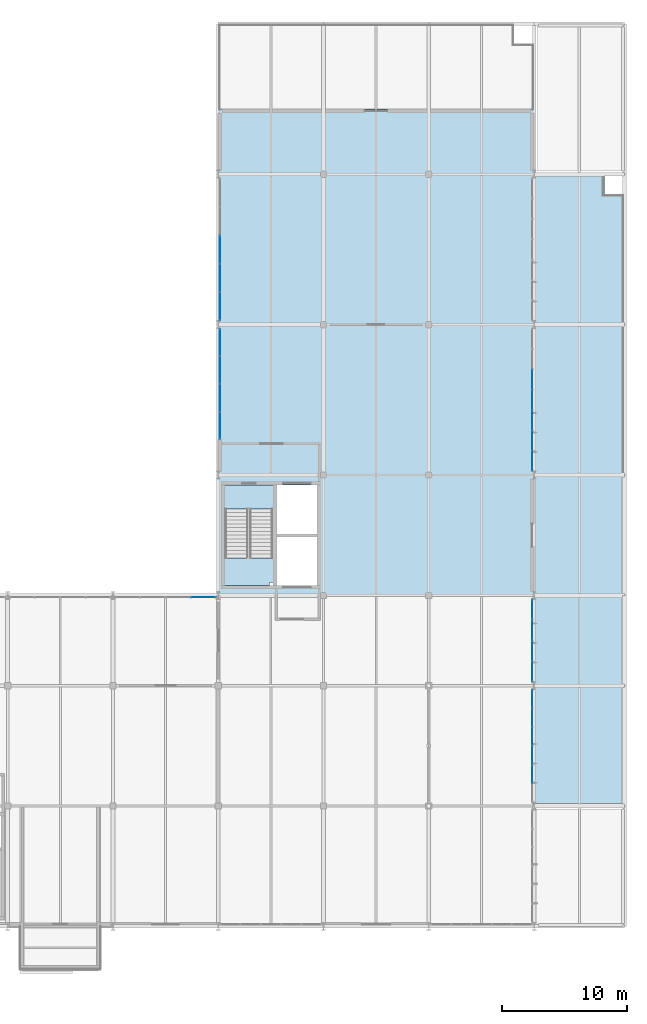
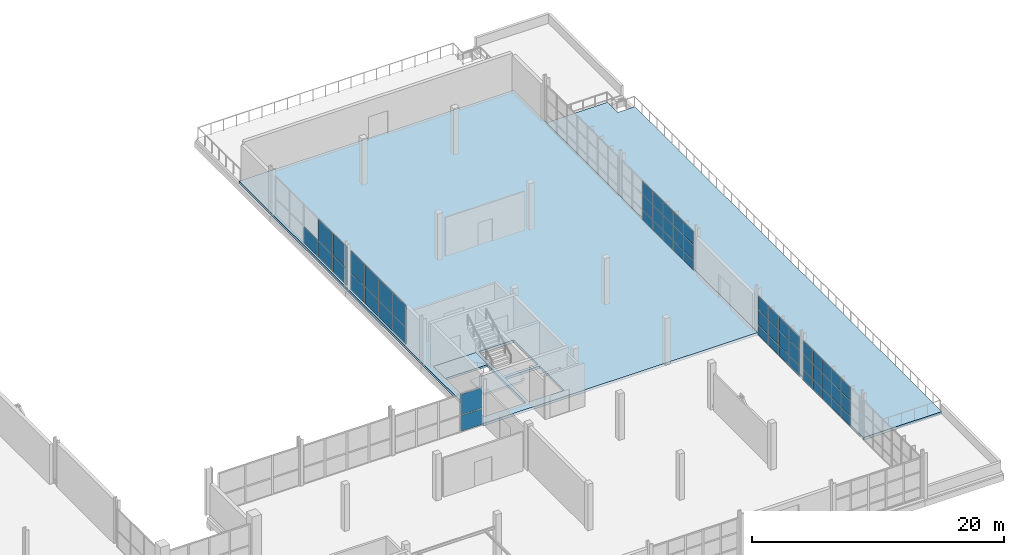
# One storey, part 91 of 109: 57 plates, 4 slabs, 7 elements without a shape of their own.
"""IFC4 building model written with IfcOpenShell, lengths in metres."""

from ifc_helpers import new_model, si_unit, direction, frame, origin, origin_2d, place, context, subcontext, project, spatial, polyline, rectangle, outline, extrude, material, layer, layer_set, type_object, element, aggregate, save


model = new_model("IFC4")

# Units and contexts
model_context = context("Model", 3, precision=1e-05, world=origin(), true_north=direction((0.0, 1.0)))
body_context = subcontext(model_context, "Body", "Model", "MODEL_VIEW")
ifc_project = project(units=[si_unit("LENGTHUNIT", "METRE"), si_unit("AREAUNIT", "SQUARE_METRE"), si_unit("VOLUMEUNIT", "CUBIC_METRE"), si_unit("PLANEANGLEUNIT", "RADIAN"), si_unit("MASSUNIT", "GRAM", prefix="KILO")], contexts=[model_context])

# Site, building, storey
site_placement = place(None, origin())
site = spatial("IfcSite", under=ifc_project, at=site_placement, CompositionType="ELEMENT")
building_placement = place(site_placement, origin())
building = spatial("IfcBuilding", under=site, at=building_placement, Name="Veltarok Museum of Natural Sciences", CompositionType="ELEMENT")
storey_placement = place(building_placement, frame((0.0, 0.0, 17.39990234375)))
storey = spatial("IfcBuildingStorey", under=building, at=storey_placement, Name="L03", CompositionType="ELEMENT", Elevation=17.39990234375)

# Slabs
ifc_material_1 = material(Name="Concrete C35/45", Category="concrete")
ifc_layer_1 = layer(ifc_material_1, 0.260009765625)
ifc_layer_set_1 = layer_set([ifc_layer_1], Name="Concrete C35/45")
slab_type_1 = type_object("IfcSlabType", Name="Insulated Walkable Terrace Deck Slab 260", PredefinedType="FLOOR", material=ifc_layer_set_1)
slab_1_placement = place(storey_placement, frame((0.0, 0.0, -0.260009765625)))
element("IfcSlab", 1, at=slab_1_placement, inside=storey, type_object=slab_type_1, Name="Southeast Specimen Garden Terrace", PredefinedType="FLOOR", context=body_context, shape_type="SweptSolid", body=[
    extrude(outline(polyline([(157.60009765625, 9.60009765625), (164.800048828125, 9.60009765625), (164.800048828125, 58.39990234375), (163.199951171875, 58.39990234375), (163.199951171875, 60.0), (157.60009765625, 60.0), (157.60009765625, 9.60009765625)])), origin(), (0.0, 0.0, 1.0), 0.260009765625),
])
ifc_layer_2 = layer(ifc_material_1, 0.199951171875)
ifc_layer_set_2 = layer_set([ifc_layer_2], Name="Concrete C35/45")
slab_type_2 = type_object("IfcSlabType", Name="Protected Stair Intermediate Landing Slab 200", PredefinedType="LANDING", material=ifc_layer_set_2)
slab_2_placement = place(storey_placement, frame((0.0, 0.0, -0.199951171875)))
element("IfcSlab", 2, at=slab_2_placement, inside=storey, type_object=slab_type_2, Name="Stairwell Floor Landing ST-05 L03", PredefinedType="LANDING", context=body_context, shape_type="SweptSolid", body=[
    extrude(outline(polyline([(132.909912109375, 33.300048828125), (136.7900390625, 33.300048828125), (136.7900390625, 35.219970703125), (132.909912109375, 35.219970703125), (132.909912109375, 33.300048828125)])), origin(), (0.0, 0.0, 1.0), 0.199951171875),
])

# Stair, slab
ifc_material_2 = material(Name="Precast concrete C40/50", Category="concrete")
stair_type = type_object("IfcStairType", Name="Protected Half-Turn Escape Stair H4500", PredefinedType="HALF_TURN_STAIR", material=ifc_material_2)
stair_placement = place(storey_placement, origin())
stair = element("IfcStair", 3, at=stair_placement, inside=storey, type_object=stair_type, Name="Protected Escape Stair ST-05-L03", PredefinedType="HALF_TURN_STAIR")
slab_3_placement = place(storey_placement, frame((0.0, 0.0, 2.050048828125)))
slab_3 = element("IfcSlab", 4, at=slab_3_placement, type_object=slab_type_2, Name="ST-05-L03 landing 1", PredefinedType="LANDING", context=body_context, shape_type="SweptSolid", body=[
    extrude(outline(polyline([(132.909912109375, 27.179931640625), (136.469970703125, 27.179931640625), (136.469970703125, 27.419921875), (136.7900390625, 27.419921875), (136.7900390625, 29.39990234375), (132.909912109375, 29.39990234375), (132.909912109375, 27.179931640625)])), origin(), (0.0, 0.0, 1.0), 0.199951171875),
])
aggregate(stair, [slab_3])

# Slab
ifc_layer_3 = layer(ifc_material_1, 0.25)
ifc_layer_set_3 = layer_set([ifc_layer_3], Name="Concrete C35/45")
slab_type_3 = type_object("IfcSlabType", Name="Suspended Museum Floor Slab 250", PredefinedType="FLOOR", material=ifc_layer_set_3)
slab_4_placement = place(storey_placement, frame((0.0, 0.0, -0.25)))
element("IfcSlab", 5, at=slab_4_placement, inside=storey, type_object=slab_type_3, Name="Floor Slab L03 V5E", PredefinedType="FLOOR", context=body_context, shape_type="SweptSolid", body=[
    extrude(outline(polyline([(132.39990234375, 26.39990234375), (132.39990234375, 65.199951171875), (157.60009765625, 65.199951171875), (157.60009765625, 26.39990234375), (132.39990234375, 26.39990234375)]), holes=[polyline([(140.27001953125, 31.050048828125), (137.070068359375, 31.050048828125), (137.070068359375, 27.199951171875), (140.27001953125, 27.199951171875), (140.27001953125, 31.050048828125)]), polyline([(136.77001953125, 35.199951171875), (132.929931640625, 35.199951171875), (132.929931640625, 27.199951171875), (136.77001953125, 27.199951171875), (136.77001953125, 35.199951171875)]), polyline([(140.27001953125, 35.199951171875), (137.070068359375, 35.199951171875), (137.070068359375, 31.300048828125), (140.27001953125, 31.300048828125), (140.27001953125, 35.199951171875)])]), origin(), (0.0, 0.0, 1.0), 0.25),
])

# Curtain wall, plates
ifc_material_3 = material(Name="Low-iron triple insulated glass", Category="glass")
curtain_wall_type_1 = type_object("IfcCurtainWallType", Name="Curtain Wall System CW-V5E-L03-B-900x388 (V5 East Lab L03 B-C 900x388cm)", PredefinedType="NOTDEFINED", material=ifc_material_3)
curtain_wall_1_placement = place(storey_placement, origin())
curtain_wall_1 = element("IfcCurtainWall", 6, at=curtain_wall_1_placement, inside=storey, type_object=curtain_wall_type_1, Name="Curtain Wall CW-V5E-L03-B-900x388 CW-0116", PredefinedType="NOTDEFINED")
ifc_layer_4 = layer(ifc_material_3, 0.028076171875)
ifc_layer_set_4 = layer_set([ifc_layer_4], Name="Low-iron triple insulated glass")
plate_type = type_object("IfcPlateType", Name="Triple Low-Iron Glazed Vision Panel 28", PredefinedType="CURTAIN_PANEL", material=ifc_layer_set_4)
plate_1_placement = place(storey_placement, frame((157.449951171875, 12.14990234375, 0.06005859375), z_axis=(0.0, 0.0, 1.0), x_axis=(0.0, 1.0, 0.0)))
plate_1 = element("IfcPlate", 7, at=plate_1_placement, type_object=plate_type, Name="CW-V5E-L03-B-900x388 panel 2.1", PredefinedType="CURTAIN_PANEL", context=body_context, shape_type="SweptSolid", body=[
    extrude(rectangle(XDim=1.43994140625, YDim=0.028076171875, at=origin_2d()), origin(), (0.0, 0.0, 1.0), 0.909912109375),
])
plate_2_placement = place(storey_placement, frame((157.449951171875, 12.14990234375, 1.030029296875), z_axis=(0.0, 0.0, 1.0), x_axis=(0.0, 1.0, 0.0)))
plate_2 = element("IfcPlate", 8, at=plate_2_placement, type_object=plate_type, Name="CW-V5E-L03-B-900x388 panel 2.2", PredefinedType="CURTAIN_PANEL", context=body_context, shape_type="SweptSolid", body=[
    extrude(rectangle(XDim=1.43994140625, YDim=0.028076171875, at=origin_2d()), origin(), (0.0, 0.0, 1.0), 1.43994140625),
])
plate_3_placement = place(storey_placement, frame((157.449951171875, 12.14990234375, 2.530029296875), z_axis=(0.0, 0.0, 1.0), x_axis=(0.0, 1.0, 0.0)))
plate_3 = element("IfcPlate", 9, at=plate_3_placement, type_object=plate_type, Name="CW-V5E-L03-B-900x388 panel 2.3", PredefinedType="CURTAIN_PANEL", context=body_context, shape_type="SweptSolid", body=[
    extrude(rectangle(XDim=1.43994140625, YDim=0.028076171875, at=origin_2d()), origin(), (0.0, 0.0, 1.0), 1.2900390625),
])
plate_4_placement = place(storey_placement, frame((157.449951171875, 13.64990234375, 0.06005859375), z_axis=(0.0, 0.0, 1.0), x_axis=(0.0, 1.0, 0.0)))
plate_4 = element("IfcPlate", 10, at=plate_4_placement, type_object=plate_type, Name="CW-V5E-L03-B-900x388 panel 3.1", PredefinedType="CURTAIN_PANEL", context=body_context, shape_type="SweptSolid", body=[
    extrude(rectangle(XDim=1.43994140625, YDim=0.028076171875, at=origin_2d()), origin(), (0.0, 0.0, 1.0), 0.909912109375),
])
plate_5_placement = place(storey_placement, frame((157.449951171875, 13.64990234375, 1.030029296875), z_axis=(0.0, 0.0, 1.0), x_axis=(0.0, 1.0, 0.0)))
plate_5 = element("IfcPlate", 11, at=plate_5_placement, type_object=plate_type, Name="CW-V5E-L03-B-900x388 panel 3.2", PredefinedType="CURTAIN_PANEL", context=body_context, shape_type="SweptSolid", body=[
    extrude(rectangle(XDim=1.43994140625, YDim=0.028076171875, at=origin_2d()), origin(), (0.0, 0.0, 1.0), 1.43994140625),
])
plate_6_placement = place(storey_placement, frame((157.449951171875, 13.64990234375, 2.530029296875), z_axis=(0.0, 0.0, 1.0), x_axis=(0.0, 1.0, 0.0)))
plate_6 = element("IfcPlate", 12, at=plate_6_placement, type_object=plate_type, Name="CW-V5E-L03-B-900x388 panel 3.3", PredefinedType="CURTAIN_PANEL", context=body_context, shape_type="SweptSolid", body=[
    extrude(rectangle(XDim=1.43994140625, YDim=0.028076171875, at=origin_2d()), origin(), (0.0, 0.0, 1.0), 1.2900390625),
])
plate_7_placement = place(storey_placement, frame((157.449951171875, 15.14990234375, 0.06005859375), z_axis=(0.0, 0.0, 1.0), x_axis=(0.0, 1.0, 0.0)))
plate_7 = element("IfcPlate", 13, at=plate_7_placement, type_object=plate_type, Name="CW-V5E-L03-B-900x388 panel 4.1", PredefinedType="CURTAIN_PANEL", context=body_context, shape_type="SweptSolid", body=[
    extrude(rectangle(XDim=1.43994140625, YDim=0.028076171875, at=origin_2d()), origin(), (0.0, 0.0, 1.0), 0.909912109375),
])
plate_8_placement = place(storey_placement, frame((157.449951171875, 15.14990234375, 1.030029296875), z_axis=(0.0, 0.0, 1.0), x_axis=(0.0, 1.0, 0.0)))
plate_8 = element("IfcPlate", 14, at=plate_8_placement, type_object=plate_type, Name="CW-V5E-L03-B-900x388 panel 4.2", PredefinedType="CURTAIN_PANEL", context=body_context, shape_type="SweptSolid", body=[
    extrude(rectangle(XDim=1.43994140625, YDim=0.028076171875, at=origin_2d()), origin(), (0.0, 0.0, 1.0), 1.43994140625),
])
plate_9_placement = place(storey_placement, frame((157.449951171875, 15.14990234375, 2.530029296875), z_axis=(0.0, 0.0, 1.0), x_axis=(0.0, 1.0, 0.0)))
plate_9 = element("IfcPlate", 15, at=plate_9_placement, type_object=plate_type, Name="CW-V5E-L03-B-900x388 panel 4.3", PredefinedType="CURTAIN_PANEL", context=body_context, shape_type="SweptSolid", body=[
    extrude(rectangle(XDim=1.43994140625, YDim=0.028076171875, at=origin_2d()), origin(), (0.0, 0.0, 1.0), 1.2900390625),
])
plate_10_placement = place(storey_placement, frame((157.449951171875, 16.64990234375, 0.06005859375), z_axis=(0.0, 0.0, 1.0), x_axis=(0.0, 1.0, 0.0)))
plate_10 = element("IfcPlate", 16, at=plate_10_placement, type_object=plate_type, Name="CW-V5E-L03-B-900x388 panel 5.1", PredefinedType="CURTAIN_PANEL", context=body_context, shape_type="SweptSolid", body=[
    extrude(rectangle(XDim=1.43994140625, YDim=0.028076171875, at=origin_2d()), origin(), (0.0, 0.0, 1.0), 0.909912109375),
])
plate_11_placement = place(storey_placement, frame((157.449951171875, 16.64990234375, 1.030029296875), z_axis=(0.0, 0.0, 1.0), x_axis=(0.0, 1.0, 0.0)))
plate_11 = element("IfcPlate", 17, at=plate_11_placement, type_object=plate_type, Name="CW-V5E-L03-B-900x388 panel 5.2", PredefinedType="CURTAIN_PANEL", context=body_context, shape_type="SweptSolid", body=[
    extrude(rectangle(XDim=1.43994140625, YDim=0.028076171875, at=origin_2d()), origin(), (0.0, 0.0, 1.0), 1.43994140625),
])
plate_12_placement = place(storey_placement, frame((157.449951171875, 16.64990234375, 2.530029296875), z_axis=(0.0, 0.0, 1.0), x_axis=(0.0, 1.0, 0.0)))
plate_12 = element("IfcPlate", 18, at=plate_12_placement, type_object=plate_type, Name="CW-V5E-L03-B-900x388 panel 5.3", PredefinedType="CURTAIN_PANEL", context=body_context, shape_type="SweptSolid", body=[
    extrude(rectangle(XDim=1.43994140625, YDim=0.028076171875, at=origin_2d()), origin(), (0.0, 0.0, 1.0), 1.2900390625),
])
plate_13_placement = place(storey_placement, frame((157.449951171875, 18.135009765625, 0.06005859375), z_axis=(0.0, 0.0, 1.0), x_axis=(0.0, 1.0, 0.0)))
plate_13 = element("IfcPlate", 19, at=plate_13_placement, type_object=plate_type, Name="CW-V5E-L03-B-900x388 panel 6.1", PredefinedType="CURTAIN_PANEL", context=body_context, shape_type="SweptSolid", body=[
    extrude(rectangle(XDim=1.409912109375, YDim=0.028076171875, at=origin_2d()), origin(), (0.0, 0.0, 1.0), 0.909912109375),
])
plate_14_placement = place(storey_placement, frame((157.449951171875, 18.135009765625, 1.030029296875), z_axis=(0.0, 0.0, 1.0), x_axis=(0.0, 1.0, 0.0)))
plate_14 = element("IfcPlate", 20, at=plate_14_placement, type_object=plate_type, Name="CW-V5E-L03-B-900x388 panel 6.2", PredefinedType="CURTAIN_PANEL", context=body_context, shape_type="SweptSolid", body=[
    extrude(rectangle(XDim=1.409912109375, YDim=0.028076171875, at=origin_2d()), origin(), (0.0, 0.0, 1.0), 1.43994140625),
])
plate_15_placement = place(storey_placement, frame((157.449951171875, 18.135009765625, 2.530029296875), z_axis=(0.0, 0.0, 1.0), x_axis=(0.0, 1.0, 0.0)))
plate_15 = element("IfcPlate", 21, at=plate_15_placement, type_object=plate_type, Name="CW-V5E-L03-B-900x388 panel 6.3", PredefinedType="CURTAIN_PANEL", context=body_context, shape_type="SweptSolid", body=[
    extrude(rectangle(XDim=1.409912109375, YDim=0.028076171875, at=origin_2d()), origin(), (0.0, 0.0, 1.0), 1.2900390625),
])
aggregate(curtain_wall_1, [plate_1, plate_2, plate_3, plate_4, plate_5, plate_6, plate_7, plate_8, plate_9, plate_10, plate_11, plate_12, plate_13, plate_14, plate_15])

curtain_wall_type_2 = type_object("IfcCurtainWallType", Name="Curtain Wall System CW-V5E-L03-C-660x388 (V5 East Lab L03 C-D 660x388cm)", PredefinedType="NOTDEFINED", material=ifc_material_3)
curtain_wall_2_placement = place(storey_placement, origin())
curtain_wall_2 = element("IfcCurtainWall", 22, at=curtain_wall_2_placement, inside=storey, type_object=curtain_wall_type_2, Name="Curtain Wall CW-V5E-L03-C-660x388 CW-0117", PredefinedType="NOTDEFINED")
plate_16_placement = place(storey_placement, frame((157.449951171875, 20.340087890625, 0.06005859375), z_axis=(0.0, 0.0, 1.0), x_axis=(0.0, 1.0, 0.0)))
plate_16 = element("IfcPlate", 23, at=plate_16_placement, type_object=plate_type, Name="CW-V5E-L03-C-660x388 panel 1.1", PredefinedType="CURTAIN_PANEL", context=body_context, shape_type="SweptSolid", body=[
    extrude(rectangle(XDim=1.56005859375, YDim=0.028076171875, at=origin_2d()), origin(), (0.0, 0.0, 1.0), 0.909912109375),
])
plate_17_placement = place(storey_placement, frame((157.449951171875, 20.340087890625, 1.030029296875), z_axis=(0.0, 0.0, 1.0), x_axis=(0.0, 1.0, 0.0)))
plate_17 = element("IfcPlate", 24, at=plate_17_placement, type_object=plate_type, Name="CW-V5E-L03-C-660x388 panel 1.2", PredefinedType="CURTAIN_PANEL", context=body_context, shape_type="SweptSolid", body=[
    extrude(rectangle(XDim=1.56005859375, YDim=0.028076171875, at=origin_2d()), origin(), (0.0, 0.0, 1.0), 1.43994140625),
])
plate_18_placement = place(storey_placement, frame((157.449951171875, 20.340087890625, 2.530029296875), z_axis=(0.0, 0.0, 1.0), x_axis=(0.0, 1.0, 0.0)))
plate_18 = element("IfcPlate", 25, at=plate_18_placement, type_object=plate_type, Name="CW-V5E-L03-C-660x388 panel 1.3", PredefinedType="CURTAIN_PANEL", context=body_context, shape_type="SweptSolid", body=[
    extrude(rectangle(XDim=1.56005859375, YDim=0.028076171875, at=origin_2d()), origin(), (0.0, 0.0, 1.0), 1.2900390625),
])
plate_19_placement = place(storey_placement, frame((157.449951171875, 21.97509765625, 0.06005859375), z_axis=(0.0, 0.0, 1.0), x_axis=(0.0, 1.0, 0.0)))
plate_19 = element("IfcPlate", 26, at=plate_19_placement, type_object=plate_type, Name="CW-V5E-L03-C-660x388 panel 2.1", PredefinedType="CURTAIN_PANEL", context=body_context, shape_type="SweptSolid", body=[
    extrude(rectangle(XDim=1.590087890625, YDim=0.028076171875, at=origin_2d()), origin(), (0.0, 0.0, 1.0), 0.909912109375),
])
plate_20_placement = place(storey_placement, frame((157.449951171875, 21.97509765625, 1.030029296875), z_axis=(0.0, 0.0, 1.0), x_axis=(0.0, 1.0, 0.0)))
plate_20 = element("IfcPlate", 27, at=plate_20_placement, type_object=plate_type, Name="CW-V5E-L03-C-660x388 panel 2.2", PredefinedType="CURTAIN_PANEL", context=body_context, shape_type="SweptSolid", body=[
    extrude(rectangle(XDim=1.590087890625, YDim=0.028076171875, at=origin_2d()), origin(), (0.0, 0.0, 1.0), 1.43994140625),
])
plate_21_placement = place(storey_placement, frame((157.449951171875, 21.97509765625, 2.530029296875), z_axis=(0.0, 0.0, 1.0), x_axis=(0.0, 1.0, 0.0)))
plate_21 = element("IfcPlate", 28, at=plate_21_placement, type_object=plate_type, Name="CW-V5E-L03-C-660x388 panel 2.3", PredefinedType="CURTAIN_PANEL", context=body_context, shape_type="SweptSolid", body=[
    extrude(rectangle(XDim=1.590087890625, YDim=0.028076171875, at=origin_2d()), origin(), (0.0, 0.0, 1.0), 1.2900390625),
])
plate_22_placement = place(storey_placement, frame((157.449951171875, 23.625, 0.06005859375), z_axis=(0.0, 0.0, 1.0), x_axis=(0.0, 1.0, 0.0)))
plate_22 = element("IfcPlate", 29, at=plate_22_placement, type_object=plate_type, Name="CW-V5E-L03-C-660x388 panel 3.1", PredefinedType="CURTAIN_PANEL", context=body_context, shape_type="SweptSolid", body=[
    extrude(rectangle(XDim=1.590087890625, YDim=0.028076171875, at=origin_2d()), origin(), (0.0, 0.0, 1.0), 0.909912109375),
])
plate_23_placement = place(storey_placement, frame((157.449951171875, 23.625, 1.030029296875), z_axis=(0.0, 0.0, 1.0), x_axis=(0.0, 1.0, 0.0)))
plate_23 = element("IfcPlate", 30, at=plate_23_placement, type_object=plate_type, Name="CW-V5E-L03-C-660x388 panel 3.2", PredefinedType="CURTAIN_PANEL", context=body_context, shape_type="SweptSolid", body=[
    extrude(rectangle(XDim=1.590087890625, YDim=0.028076171875, at=origin_2d()), origin(), (0.0, 0.0, 1.0), 1.43994140625),
])
plate_24_placement = place(storey_placement, frame((157.449951171875, 23.625, 2.530029296875), z_axis=(0.0, 0.0, 1.0), x_axis=(0.0, 1.0, 0.0)))
plate_24 = element("IfcPlate", 31, at=plate_24_placement, type_object=plate_type, Name="CW-V5E-L03-C-660x388 panel 3.3", PredefinedType="CURTAIN_PANEL", context=body_context, shape_type="SweptSolid", body=[
    extrude(rectangle(XDim=1.590087890625, YDim=0.028076171875, at=origin_2d()), origin(), (0.0, 0.0, 1.0), 1.2900390625),
])
plate_25_placement = place(storey_placement, frame((157.449951171875, 25.260009765625, 0.06005859375), z_axis=(0.0, 0.0, 1.0), x_axis=(0.0, 1.0, 0.0)))
plate_25 = element("IfcPlate", 32, at=plate_25_placement, type_object=plate_type, Name="CW-V5E-L03-C-660x388 panel 4.1", PredefinedType="CURTAIN_PANEL", context=body_context, shape_type="SweptSolid", body=[
    extrude(rectangle(XDim=1.56005859375, YDim=0.028076171875, at=origin_2d()), origin(), (0.0, 0.0, 1.0), 0.909912109375),
])
plate_26_placement = place(storey_placement, frame((157.449951171875, 25.260009765625, 1.030029296875), z_axis=(0.0, 0.0, 1.0), x_axis=(0.0, 1.0, 0.0)))
plate_26 = element("IfcPlate", 33, at=plate_26_placement, type_object=plate_type, Name="CW-V5E-L03-C-660x388 panel 4.2", PredefinedType="CURTAIN_PANEL", context=body_context, shape_type="SweptSolid", body=[
    extrude(rectangle(XDim=1.56005859375, YDim=0.028076171875, at=origin_2d()), origin(), (0.0, 0.0, 1.0), 1.43994140625),
])
plate_27_placement = place(storey_placement, frame((157.449951171875, 25.260009765625, 2.530029296875), z_axis=(0.0, 0.0, 1.0), x_axis=(0.0, 1.0, 0.0)))
plate_27 = element("IfcPlate", 34, at=plate_27_placement, type_object=plate_type, Name="CW-V5E-L03-C-660x388 panel 4.3", PredefinedType="CURTAIN_PANEL", context=body_context, shape_type="SweptSolid", body=[
    extrude(rectangle(XDim=1.56005859375, YDim=0.028076171875, at=origin_2d()), origin(), (0.0, 0.0, 1.0), 1.2900390625),
])
aggregate(curtain_wall_2, [plate_16, plate_17, plate_18, plate_19, plate_20, plate_21, plate_22, plate_23, plate_24, plate_25, plate_26, plate_27])

curtain_wall_type_3 = type_object("IfcCurtainWallType", Name="Curtain Wall System CW-V5E-L03-E-1140x388 (V5 East Lab L03 E-F 1140x388cm)", PredefinedType="NOTDEFINED", material=ifc_material_3)
curtain_wall_3_placement = place(storey_placement, origin())
curtain_wall_3 = element("IfcCurtainWall", 35, at=curtain_wall_3_placement, inside=storey, type_object=curtain_wall_type_3, Name="Curtain Wall CW-V5E-L03-E-1140x388 CW-0118", PredefinedType="NOTDEFINED")
plate_28_placement = place(storey_placement, frame((157.449951171875, 37.12939453125, 0.06005859375), z_axis=(0.0, 0.0, 1.0), x_axis=(0.0, 1.0, 0.0)))
plate_28 = element("IfcPlate", 36, at=plate_28_placement, type_object=plate_type, Name="CW-V5E-L03-E-1140x388 panel 1.1", PredefinedType="CURTAIN_PANEL", context=body_context, shape_type="SweptSolid", body=[
    extrude(rectangle(XDim=1.53857421875, YDim=0.028076171875, at=origin_2d()), origin(), (0.0, 0.0, 1.0), 0.909912109375),
])
plate_29_placement = place(storey_placement, frame((157.449951171875, 37.12939453125, 1.030029296875), z_axis=(0.0, 0.0, 1.0), x_axis=(0.0, 1.0, 0.0)))
plate_29 = element("IfcPlate", 37, at=plate_29_placement, type_object=plate_type, Name="CW-V5E-L03-E-1140x388 panel 1.2", PredefinedType="CURTAIN_PANEL", context=body_context, shape_type="SweptSolid", body=[
    extrude(rectangle(XDim=1.53857421875, YDim=0.028076171875, at=origin_2d()), origin(), (0.0, 0.0, 1.0), 1.43994140625),
])
plate_30_placement = place(storey_placement, frame((157.449951171875, 37.12939453125, 2.530029296875), z_axis=(0.0, 0.0, 1.0), x_axis=(0.0, 1.0, 0.0)))
plate_30 = element("IfcPlate", 38, at=plate_30_placement, type_object=plate_type, Name="CW-V5E-L03-E-1140x388 panel 1.3", PredefinedType="CURTAIN_PANEL", context=body_context, shape_type="SweptSolid", body=[
    extrude(rectangle(XDim=1.53857421875, YDim=0.028076171875, at=origin_2d()), origin(), (0.0, 0.0, 1.0), 1.2900390625),
])
plate_31_placement = place(storey_placement, frame((157.449951171875, 38.742919921875, 0.06005859375), z_axis=(0.0, 0.0, 1.0), x_axis=(0.0, 1.0, 0.0)))
plate_31 = element("IfcPlate", 39, at=plate_31_placement, type_object=plate_type, Name="CW-V5E-L03-E-1140x388 panel 2.1", PredefinedType="CURTAIN_PANEL", context=body_context, shape_type="SweptSolid", body=[
    extrude(rectangle(XDim=1.568603515625, YDim=0.028076171875, at=origin_2d()), origin(), (0.0, 0.0, 1.0), 0.909912109375),
])
plate_32_placement = place(storey_placement, frame((157.449951171875, 38.742919921875, 1.030029296875), z_axis=(0.0, 0.0, 1.0), x_axis=(0.0, 1.0, 0.0)))
plate_32 = element("IfcPlate", 40, at=plate_32_placement, type_object=plate_type, Name="CW-V5E-L03-E-1140x388 panel 2.2", PredefinedType="CURTAIN_PANEL", context=body_context, shape_type="SweptSolid", body=[
    extrude(rectangle(XDim=1.568603515625, YDim=0.028076171875, at=origin_2d()), origin(), (0.0, 0.0, 1.0), 1.43994140625),
])
plate_33_placement = place(storey_placement, frame((157.449951171875, 38.742919921875, 2.530029296875), z_axis=(0.0, 0.0, 1.0), x_axis=(0.0, 1.0, 0.0)))
plate_33 = element("IfcPlate", 41, at=plate_33_placement, type_object=plate_type, Name="CW-V5E-L03-E-1140x388 panel 2.3", PredefinedType="CURTAIN_PANEL", context=body_context, shape_type="SweptSolid", body=[
    extrude(rectangle(XDim=1.568603515625, YDim=0.028076171875, at=origin_2d()), origin(), (0.0, 0.0, 1.0), 1.2900390625),
])
plate_34_placement = place(storey_placement, frame((157.449951171875, 40.371337890625, 0.06005859375), z_axis=(0.0, 0.0, 1.0), x_axis=(0.0, 1.0, 0.0)))
plate_34 = element("IfcPlate", 42, at=plate_34_placement, type_object=plate_type, Name="CW-V5E-L03-E-1140x388 panel 3.1", PredefinedType="CURTAIN_PANEL", context=body_context, shape_type="SweptSolid", body=[
    extrude(rectangle(XDim=1.568603515625, YDim=0.028076171875, at=origin_2d()), origin(), (0.0, 0.0, 1.0), 0.909912109375),
])
plate_35_placement = place(storey_placement, frame((157.449951171875, 40.371337890625, 1.030029296875), z_axis=(0.0, 0.0, 1.0), x_axis=(0.0, 1.0, 0.0)))
plate_35 = element("IfcPlate", 43, at=plate_35_placement, type_object=plate_type, Name="CW-V5E-L03-E-1140x388 panel 3.2", PredefinedType="CURTAIN_PANEL", context=body_context, shape_type="SweptSolid", body=[
    extrude(rectangle(XDim=1.568603515625, YDim=0.028076171875, at=origin_2d()), origin(), (0.0, 0.0, 1.0), 1.43994140625),
])
plate_36_placement = place(storey_placement, frame((157.449951171875, 40.371337890625, 2.530029296875), z_axis=(0.0, 0.0, 1.0), x_axis=(0.0, 1.0, 0.0)))
plate_36 = element("IfcPlate", 44, at=plate_36_placement, type_object=plate_type, Name="CW-V5E-L03-E-1140x388 panel 3.3", PredefinedType="CURTAIN_PANEL", context=body_context, shape_type="SweptSolid", body=[
    extrude(rectangle(XDim=1.568603515625, YDim=0.028076171875, at=origin_2d()), origin(), (0.0, 0.0, 1.0), 1.2900390625),
])
plate_37_placement = place(storey_placement, frame((157.449951171875, 42.0, 0.06005859375), z_axis=(0.0, 0.0, 1.0), x_axis=(0.0, 1.0, 0.0)))
plate_37 = element("IfcPlate", 45, at=plate_37_placement, type_object=plate_type, Name="CW-V5E-L03-E-1140x388 panel 4.1", PredefinedType="CURTAIN_PANEL", context=body_context, shape_type="SweptSolid", body=[
    extrude(rectangle(XDim=1.568603515625, YDim=0.028076171875, at=origin_2d()), origin(), (0.0, 0.0, 1.0), 0.909912109375),
])
plate_38_placement = place(storey_placement, frame((157.449951171875, 42.0, 1.030029296875), z_axis=(0.0, 0.0, 1.0), x_axis=(0.0, 1.0, 0.0)))
plate_38 = element("IfcPlate", 46, at=plate_38_placement, type_object=plate_type, Name="CW-V5E-L03-E-1140x388 panel 4.2", PredefinedType="CURTAIN_PANEL", context=body_context, shape_type="SweptSolid", body=[
    extrude(rectangle(XDim=1.568603515625, YDim=0.028076171875, at=origin_2d()), origin(), (0.0, 0.0, 1.0), 1.43994140625),
])
plate_39_placement = place(storey_placement, frame((157.449951171875, 42.0, 2.530029296875), z_axis=(0.0, 0.0, 1.0), x_axis=(0.0, 1.0, 0.0)))
plate_39 = element("IfcPlate", 47, at=plate_39_placement, type_object=plate_type, Name="CW-V5E-L03-E-1140x388 panel 4.3", PredefinedType="CURTAIN_PANEL", context=body_context, shape_type="SweptSolid", body=[
    extrude(rectangle(XDim=1.568603515625, YDim=0.028076171875, at=origin_2d()), origin(), (0.0, 0.0, 1.0), 1.2900390625),
])
plate_40_placement = place(storey_placement, frame((157.449951171875, 43.628662109375, 0.06005859375), z_axis=(0.0, 0.0, 1.0), x_axis=(0.0, 1.0, 0.0)))
plate_40 = element("IfcPlate", 48, at=plate_40_placement, type_object=plate_type, Name="CW-V5E-L03-E-1140x388 panel 5.1", PredefinedType="CURTAIN_PANEL", context=body_context, shape_type="SweptSolid", body=[
    extrude(rectangle(XDim=1.568603515625, YDim=0.028076171875, at=origin_2d()), origin(), (0.0, 0.0, 1.0), 0.909912109375),
])
plate_41_placement = place(storey_placement, frame((157.449951171875, 43.628662109375, 1.030029296875), z_axis=(0.0, 0.0, 1.0), x_axis=(0.0, 1.0, 0.0)))
plate_41 = element("IfcPlate", 49, at=plate_41_placement, type_object=plate_type, Name="CW-V5E-L03-E-1140x388 panel 5.2", PredefinedType="CURTAIN_PANEL", context=body_context, shape_type="SweptSolid", body=[
    extrude(rectangle(XDim=1.568603515625, YDim=0.028076171875, at=origin_2d()), origin(), (0.0, 0.0, 1.0), 1.43994140625),
])
plate_42_placement = place(storey_placement, frame((157.449951171875, 43.628662109375, 2.530029296875), z_axis=(0.0, 0.0, 1.0), x_axis=(0.0, 1.0, 0.0)))
plate_42 = element("IfcPlate", 50, at=plate_42_placement, type_object=plate_type, Name="CW-V5E-L03-E-1140x388 panel 5.3", PredefinedType="CURTAIN_PANEL", context=body_context, shape_type="SweptSolid", body=[
    extrude(rectangle(XDim=1.568603515625, YDim=0.028076171875, at=origin_2d()), origin(), (0.0, 0.0, 1.0), 1.2900390625),
])
aggregate(curtain_wall_3, [plate_28, plate_29, plate_30, plate_31, plate_32, plate_33, plate_34, plate_35, plate_36, plate_37, plate_38, plate_39, plate_40, plate_41, plate_42])

curtain_wall_type_4 = type_object("IfcCurtainWallType", Name="Curtain Wall System CW-V5CW-L03-0-885x388 (CW-V5CW L03 885x388cm)", PredefinedType="NOTDEFINED", material=ifc_material_3)
curtain_wall_4_placement = place(storey_placement, origin())
curtain_wall_4 = element("IfcCurtainWall", 51, at=curtain_wall_4_placement, inside=storey, type_object=curtain_wall_type_4, Name="Curtain Wall CW-V5CW-L03-0-885x388 CW-0180", PredefinedType="NOTDEFINED")
plate_43_placement = place(storey_placement, frame((132.550048828125, 39.97119140625, 0.05810546875), z_axis=(0.0, 0.0, 1.0), x_axis=(0.0, 1.0, 0.0)))
plate_43 = element("IfcPlate", 52, at=plate_43_placement, type_object=plate_type, Name="CW-V5CW-L03-0-885x388 panel 1.1", PredefinedType="CURTAIN_PANEL", context=body_context, shape_type="SweptSolid", body=[
    extrude(rectangle(XDim=2.12255859375, YDim=0.028076171875, at=origin_2d()), origin(), (0.0, 0.0, 1.0), 1.56005859375),
])
plate_44_placement = place(storey_placement, frame((132.550048828125, 39.97119140625, 1.677978515625), z_axis=(0.0, 0.0, 1.0), x_axis=(0.0, 1.0, 0.0)))
plate_44 = element("IfcPlate", 53, at=plate_44_placement, type_object=plate_type, Name="CW-V5CW-L03-0-885x388 panel 1.2", PredefinedType="CURTAIN_PANEL", context=body_context, shape_type="SweptSolid", body=[
    extrude(rectangle(XDim=2.12255859375, YDim=0.028076171875, at=origin_2d()), origin(), (0.0, 0.0, 1.0), 2.14208984375),
])
plate_45_placement = place(storey_placement, frame((132.550048828125, 42.168701171875, 0.05810546875), z_axis=(0.0, 0.0, 1.0), x_axis=(0.0, 1.0, 0.0)))
plate_45 = element("IfcPlate", 54, at=plate_45_placement, type_object=plate_type, Name="CW-V5CW-L03-0-885x388 panel 2.1", PredefinedType="CURTAIN_PANEL", context=body_context, shape_type="SweptSolid", body=[
    extrude(rectangle(XDim=2.152587890625, YDim=0.028076171875, at=origin_2d()), origin(), (0.0, 0.0, 1.0), 1.56005859375),
])
plate_46_placement = place(storey_placement, frame((132.550048828125, 42.168701171875, 1.677978515625), z_axis=(0.0, 0.0, 1.0), x_axis=(0.0, 1.0, 0.0)))
plate_46 = element("IfcPlate", 55, at=plate_46_placement, type_object=plate_type, Name="CW-V5CW-L03-0-885x388 panel 2.2", PredefinedType="CURTAIN_PANEL", context=body_context, shape_type="SweptSolid", body=[
    extrude(rectangle(XDim=2.152587890625, YDim=0.028076171875, at=origin_2d()), origin(), (0.0, 0.0, 1.0), 2.14208984375),
])
plate_47_placement = place(storey_placement, frame((132.550048828125, 44.38134765625, 0.05810546875), z_axis=(0.0, 0.0, 1.0), x_axis=(0.0, 1.0, 0.0)))
plate_47 = element("IfcPlate", 56, at=plate_47_placement, type_object=plate_type, Name="CW-V5CW-L03-0-885x388 panel 3.1", PredefinedType="CURTAIN_PANEL", context=body_context, shape_type="SweptSolid", body=[
    extrude(rectangle(XDim=2.152587890625, YDim=0.028076171875, at=origin_2d()), origin(), (0.0, 0.0, 1.0), 1.56005859375),
])
plate_48_placement = place(storey_placement, frame((132.550048828125, 44.38134765625, 1.677978515625), z_axis=(0.0, 0.0, 1.0), x_axis=(0.0, 1.0, 0.0)))
plate_48 = element("IfcPlate", 57, at=plate_48_placement, type_object=plate_type, Name="CW-V5CW-L03-0-885x388 panel 3.2", PredefinedType="CURTAIN_PANEL", context=body_context, shape_type="SweptSolid", body=[
    extrude(rectangle(XDim=2.152587890625, YDim=0.028076171875, at=origin_2d()), origin(), (0.0, 0.0, 1.0), 2.14208984375),
])
plate_49_placement = place(storey_placement, frame((132.550048828125, 46.578857421875, 0.05810546875), z_axis=(0.0, 0.0, 1.0), x_axis=(0.0, 1.0, 0.0)))
plate_49 = element("IfcPlate", 58, at=plate_49_placement, type_object=plate_type, Name="CW-V5CW-L03-0-885x388 panel 4.1", PredefinedType="CURTAIN_PANEL", context=body_context, shape_type="SweptSolid", body=[
    extrude(rectangle(XDim=2.12255859375, YDim=0.028076171875, at=origin_2d()), origin(), (0.0, 0.0, 1.0), 1.56005859375),
])
plate_50_placement = place(storey_placement, frame((132.550048828125, 46.578857421875, 1.677978515625), z_axis=(0.0, 0.0, 1.0), x_axis=(0.0, 1.0, 0.0)))
plate_50 = element("IfcPlate", 59, at=plate_50_placement, type_object=plate_type, Name="CW-V5CW-L03-0-885x388 panel 4.2", PredefinedType="CURTAIN_PANEL", context=body_context, shape_type="SweptSolid", body=[
    extrude(rectangle(XDim=2.12255859375, YDim=0.028076171875, at=origin_2d()), origin(), (0.0, 0.0, 1.0), 2.14208984375),
])
aggregate(curtain_wall_4, [plate_43, plate_44, plate_45, plate_46, plate_47, plate_48, plate_49, plate_50])

curtain_wall_type_5 = type_object("IfcCurtainWallType", Name="Curtain Wall System CW-V5CW-L03-1-1140x383 (CW-V5CW L03 1140x383cm)", PredefinedType="NOTDEFINED", material=ifc_material_3)
curtain_wall_5_placement = place(storey_placement, origin())
curtain_wall_5 = element("IfcCurtainWall", 60, at=curtain_wall_5_placement, inside=storey, type_object=curtain_wall_type_5, Name="Curtain Wall CW-V5CW-L03-1-1140x383 CW-0181", PredefinedType="NOTDEFINED")
plate_51_placement = place(storey_placement, frame((132.550048828125, 49.455078125, 0.05810546875), z_axis=(0.0, 0.0, 1.0), x_axis=(0.0, 1.0, 0.0)))
plate_51 = element("IfcPlate", 61, at=plate_51_placement, type_object=plate_type, Name="CW-V5CW-L03-1-1140x383 panel 1.1", PredefinedType="CURTAIN_PANEL", context=body_context, shape_type="SweptSolid", body=[
    extrude(rectangle(XDim=2.18994140625, YDim=0.028076171875, at=origin_2d()), origin(), (0.0, 0.0, 1.0), 1.56005859375),
])
plate_52_placement = place(storey_placement, frame((132.550048828125, 49.455078125, 1.67822265625), z_axis=(0.0, 0.0, 1.0), x_axis=(0.0, 1.0, 0.0)))
plate_52 = element("IfcPlate", 62, at=plate_52_placement, type_object=plate_type, Name="CW-V5CW-L03-1-1140x383 panel 1.2", PredefinedType="CURTAIN_PANEL", context=body_context, shape_type="SweptSolid", body=[
    extrude(rectangle(XDim=2.18994140625, YDim=0.028076171875, at=origin_2d()), origin(), (0.0, 0.0, 1.0), 2.092041015625),
])
plate_53_placement = place(storey_placement, frame((132.550048828125, 51.719970703125, 0.05810546875), z_axis=(0.0, 0.0, 1.0), x_axis=(0.0, 1.0, 0.0)))
plate_53 = element("IfcPlate", 63, at=plate_53_placement, type_object=plate_type, Name="CW-V5CW-L03-1-1140x383 panel 2.1", PredefinedType="CURTAIN_PANEL", context=body_context, shape_type="SweptSolid", body=[
    extrude(rectangle(XDim=2.219970703125, YDim=0.028076171875, at=origin_2d()), origin(), (0.0, 0.0, 1.0), 1.56005859375),
])
plate_54_placement = place(storey_placement, frame((132.550048828125, 51.719970703125, 1.67822265625), z_axis=(0.0, 0.0, 1.0), x_axis=(0.0, 1.0, 0.0)))
plate_54 = element("IfcPlate", 64, at=plate_54_placement, type_object=plate_type, Name="CW-V5CW-L03-1-1140x383 panel 2.2", PredefinedType="CURTAIN_PANEL", context=body_context, shape_type="SweptSolid", body=[
    extrude(rectangle(XDim=2.219970703125, YDim=0.028076171875, at=origin_2d()), origin(), (0.0, 0.0, 1.0), 2.092041015625),
])
plate_55_placement = place(storey_placement, frame((132.550048828125, 54.0, 0.05810546875), z_axis=(0.0, 0.0, 1.0), x_axis=(0.0, 1.0, 0.0)))
plate_55 = element("IfcPlate", 65, at=plate_55_placement, type_object=plate_type, Name="CW-V5CW-L03-1-1140x383 panel 3.1", PredefinedType="CURTAIN_PANEL", context=body_context, shape_type="SweptSolid", body=[
    extrude(rectangle(XDim=2.219970703125, YDim=0.028076171875, at=origin_2d()), origin(), (0.0, 0.0, 1.0), 1.56005859375),
])
aggregate(curtain_wall_5, [plate_51, plate_52, plate_53, plate_54, plate_55])

curtain_wall_type_6 = type_object("IfcCurtainWallType", Name="Curtain Wall System CW-V5CN-L03-3-810x373 (CW-V5CN L03 810x373cm)", PredefinedType="NOTDEFINED", material=ifc_material_3)
curtain_wall_6_placement = place(storey_placement, origin())
curtain_wall_6 = element("IfcCurtainWall", 66, at=curtain_wall_6_placement, inside=storey, type_object=curtain_wall_type_6, Name="Curtain Wall CW-V5CN-L03-3-810x373 CW-0195", PredefinedType="NOTDEFINED")
plate_56_placement = place(storey_placement, frame((131.222412109375, 26.25, 0.05810546875), z_axis=(0.0, 0.0, 1.0), x_axis=(-1.0, 0.0, 0.0)))
plate_56 = element("IfcPlate", 67, at=plate_56_placement, type_object=plate_type, Name="CW-V5CN-L03-3-810x373 panel 1.1", PredefinedType="CURTAIN_PANEL", context=body_context, shape_type="SweptSolid", body=[
    extrude(rectangle(XDim=1.93505859375, YDim=0.028076171875, at=origin_2d()), origin(), (0.0, 0.0, 1.0), 1.56005859375),
])
plate_57_placement = place(storey_placement, frame((131.222412109375, 26.25, 1.67822265625), z_axis=(0.0, 0.0, 1.0), x_axis=(-1.0, 0.0, 0.0)))
plate_57 = element("IfcPlate", 68, at=plate_57_placement, type_object=plate_type, Name="CW-V5CN-L03-3-810x373 panel 1.2", PredefinedType="CURTAIN_PANEL", context=body_context, shape_type="SweptSolid", body=[
    extrude(rectangle(XDim=1.93505859375, YDim=0.028076171875, at=origin_2d()), origin(), (0.0, 0.0, 1.0), 1.991943359375),
])
aggregate(curtain_wall_6, [plate_56, plate_57])

save(model, "model.ifc")
